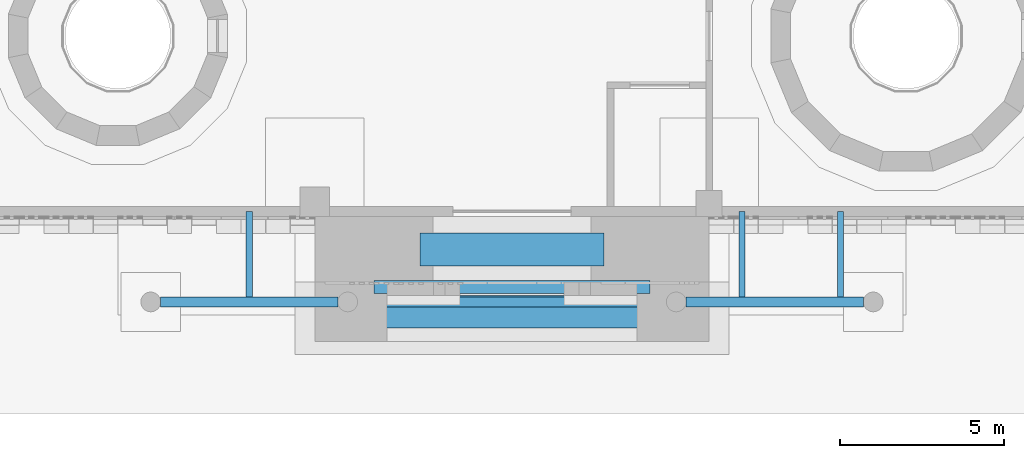
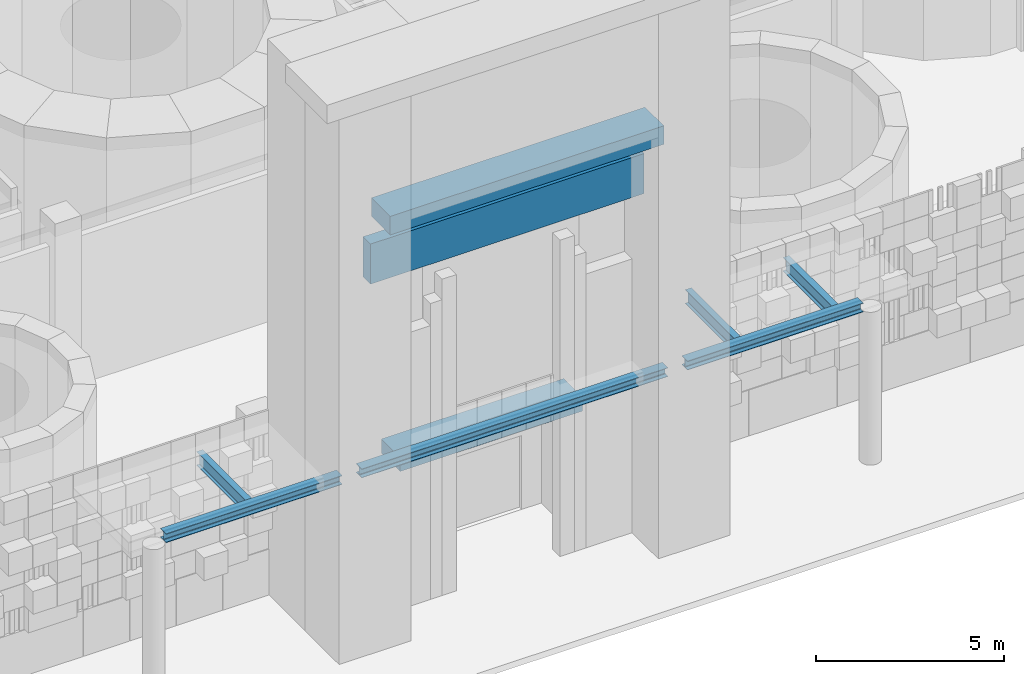
# One storey, part 6 of 125: 9 beams.
"""IFC4 building model written with IfcOpenShell, lengths in metres."""

from ifc_helpers import new_model, si_unit, direction, frame, origin, origin_2d, place, context, subcontext, project, spatial, rectangle, i_section, extrude, material, material_profile, profile_set, type_object, element, save


model = new_model("IFC4")

# Units and contexts
model_context = context("Model", 3, precision=1e-05, world=origin(), true_north=direction((0.0, 1.0)))
body_context = subcontext(model_context, "Body", "Model", "MODEL_VIEW")
ifc_project = project(units=[si_unit("LENGTHUNIT", "METRE"), si_unit("AREAUNIT", "SQUARE_METRE"), si_unit("VOLUMEUNIT", "CUBIC_METRE"), si_unit("PLANEANGLEUNIT", "RADIAN"), si_unit("MASSUNIT", "GRAM", prefix="KILO")], contexts=[model_context])

# Site, building, storey
site_placement = place(None, origin())
site = spatial("IfcSite", under=ifc_project, at=site_placement, CompositionType="ELEMENT")
building_placement = place(site_placement, origin())
building = spatial("IfcBuilding", under=site, at=building_placement, Name="Sun Court Science Centre", CompositionType="ELEMENT")
storey_placement = place(building_placement, origin())
storey = spatial("IfcBuildingStorey", under=building, at=storey_placement, Name="L00", CompositionType="ELEMENT", Elevation=0.0)

# Beams
ifc_material_1 = material(Name="Concrete C30/37", Category="concrete")
ifc_material_profile_1 = material_profile(ifc_material_1, rectangle(XDim=1.0, YDim=0.60009765625, at=origin_2d()), Name="RC 1000x600")
ifc_profile_set_1 = profile_set([ifc_material_profile_1], Name="Concrete C30/37")
beam_type_1 = type_object("IfcBeamType", Name="Iwan lintel beam RC 1000x600", PredefinedType="BEAM", material=ifc_profile_set_1)
beam_1_placement = place(storey_placement, frame((37.800048828125, 3.10009765625, 13.368408203125), z_axis=(1.0, 0.0, 0.0), x_axis=(0.0, 1.0, 0.0)))
element("IfcBeam", 1, at=beam_1_placement, inside=storey, type_object=beam_type_1, Name="Iwan outer lintel beam", PredefinedType="BEAM", context=body_context, shape_type="SweptSolid", body=[
    extrude(rectangle(XDim=1.0, YDim=0.60009765625, at=origin_2d()), origin(), (0.0, 0.0, 1.0), 8.39990234375),
])
ifc_material_2 = material(Name="Concrete C30/37", Category="concrete")
ifc_material_profile_2 = material_profile(ifc_material_2, rectangle(XDim=0.39990234375, YDim=1.300048828125, at=origin_2d()), Name="RC 400x1300")
ifc_profile_set_2 = profile_set([ifc_material_profile_2], Name="Concrete C30/37")
beam_type_2 = type_object("IfcBeamType", Name="Iwan tympanum beam RC 400x1300", PredefinedType="BEAM", material=ifc_profile_set_2)
beam_2_placement = place(storey_placement, frame((37.800048828125, 3.85009765625, 11.482666015625), z_axis=(1.0, 0.0, 0.0), x_axis=(0.0, 1.0, 0.0)))
element("IfcBeam", 2, at=beam_2_placement, inside=storey, type_object=beam_type_2, Name="Iwan inner lintel beam", PredefinedType="BEAM", context=body_context, shape_type="SweptSolid", body=[
    extrude(rectangle(XDim=0.39990234375, YDim=1.300048828125, at=origin_2d()), origin(), (0.0, 0.0, 1.0), 8.39990234375),
])
ifc_material_3 = material(Name="Concrete C30/37", Category="concrete")
ifc_material_profile_3 = material_profile(ifc_material_3, rectangle(XDim=1.0, YDim=0.449951171875, at=origin_2d()), Name="RC 1000x450")
ifc_profile_set_3 = profile_set([ifc_material_profile_3], Name="Concrete C30/37")
beam_type_3 = type_object("IfcBeamType", Name="Portal lintel beam RC 1000x450", PredefinedType="BEAM", material=ifc_profile_set_3)
beam_3_placement = place(storey_placement, frame((39.199951171875, 5.0, 3.97509765625), z_axis=(1.0, 0.0, 0.0), x_axis=(0.0, 1.0, 0.0)))
element("IfcBeam", 3, at=beam_3_placement, inside=storey, type_object=beam_type_3, Name="Portal lintel beam", PredefinedType="BEAM", context=body_context, shape_type="SweptSolid", body=[
    extrude(rectangle(XDim=1.0, YDim=0.449951171875, at=origin_2d()), origin(), (0.0, 0.0, 1.0), 5.60009765625),
])
ifc_material_4 = material(Name="Steel S355", Category="steel")
ifc_material_profile_4 = material_profile(ifc_material_4, i_section(OverallWidth=0.300048828125, OverallDepth=0.2900390625, WebThickness=0.008544921875, FlangeThickness=0.013916015625, FilletRadius=0.027099609375, at=origin_2d()), Name="HEA 300")
ifc_profile_set_4 = profile_set([ifc_material_profile_4], Name="Steel S355")
beam_type_4 = type_object("IfcBeamType", Name="Steel beam HEA 300", PredefinedType="BEAM", material=ifc_profile_set_4)
beam_4_placement = place(storey_placement, frame((31.300048828125, 3.39990234375, 5.10498046875), z_axis=(1.0, 0.0, 0.0), x_axis=(0.0, 1.0, 0.0)))
element("IfcBeam", 4, at=beam_4_placement, inside=storey, type_object=beam_type_4, Name="Canopy edge beam", PredefinedType="BEAM", context=body_context, shape_type="SweptSolid", body=[
    extrude(i_section(OverallWidth=0.300048828125, OverallDepth=0.2900390625, WebThickness=0.008544921875, FlangeThickness=0.013916015625, FilletRadius=0.027099609375, at=origin_2d()), origin(), (0.0, 0.0, 1.0), 5.39990234375),
])
beam_5_placement = place(storey_placement, frame((37.300048828125, 3.39990234375, 5.10498046875), z_axis=(1.0, 0.0, 0.0), x_axis=(0.0, 1.0, 0.0)))
element("IfcBeam", 5, at=beam_5_placement, inside=storey, type_object=beam_type_4, Name="Canopy edge beam", PredefinedType="BEAM", context=body_context, shape_type="SweptSolid", body=[
    extrude(i_section(OverallWidth=0.300048828125, OverallDepth=0.2900390625, WebThickness=0.008544921875, FlangeThickness=0.013916015625, FilletRadius=0.027099609375, at=origin_2d()), origin(), (0.0, 0.0, 1.0), 9.39990234375),
])
beam_6_placement = place(storey_placement, frame((47.300048828125, 3.39990234375, 5.10498046875), z_axis=(1.0, 0.0, 0.0), x_axis=(0.0, 1.0, 0.0)))
element("IfcBeam", 6, at=beam_6_placement, inside=storey, type_object=beam_type_4, Name="Canopy edge beam", PredefinedType="BEAM", context=body_context, shape_type="SweptSolid", body=[
    extrude(i_section(OverallWidth=0.300048828125, OverallDepth=0.2900390625, WebThickness=0.008544921875, FlangeThickness=0.013916015625, FilletRadius=0.027099609375, at=origin_2d()), origin(), (0.0, 0.0, 1.0), 5.39990234375),
])
ifc_material_5 = material(Name="Steel S355", Category="steel")
ifc_material_profile_5 = material_profile(ifc_material_5, i_section(OverallWidth=0.18994140625, OverallDepth=0.449951171875, WebThickness=0.009521484375, FlangeThickness=0.0146484375, FilletRadius=0.02099609375, at=origin_2d()), Name="IPE 450")
ifc_profile_set_5 = profile_set([ifc_material_profile_5], Name="Steel S355")
beam_type_5 = type_object("IfcBeamType", Name="Steel beam IPE 450", PredefinedType="BEAM", material=ifc_profile_set_5)
for number, where, z_axis, x_axis, name in (
    (7, (34.0, 3.550048828125, 5.02490234375), (0.0, 1.0, 0.0), (-1.0, 0.0, 0.0), "Canopy cantilever beam"),
    (8, (49.0, 3.550048828125, 5.02490234375), (0.0, 1.0, 0.0), (-1.0, 0.0, 0.0), "Canopy cantilever beam"),
    (9, (52.0, 3.550048828125, 5.02490234375), (0.0, 1.0, 0.0), (-1.0, 0.0, 0.0), "Canopy cantilever beam"),
):
    element("IfcBeam", number, at=place(storey_placement, frame(where, z_axis=z_axis, x_axis=x_axis)), inside=storey, type_object=beam_type_5, Name=name, PredefinedType="BEAM", context=body_context, shape_type="SweptSolid", body=[
        extrude(i_section(OverallWidth=0.18994140625, OverallDepth=0.449951171875, WebThickness=0.009521484375, FlangeThickness=0.0146484375, FilletRadius=0.02099609375, at=origin_2d()), origin(), (0.0, 0.0, 1.0), 2.599853515625),
    ])

save(model, "model.ifc")
